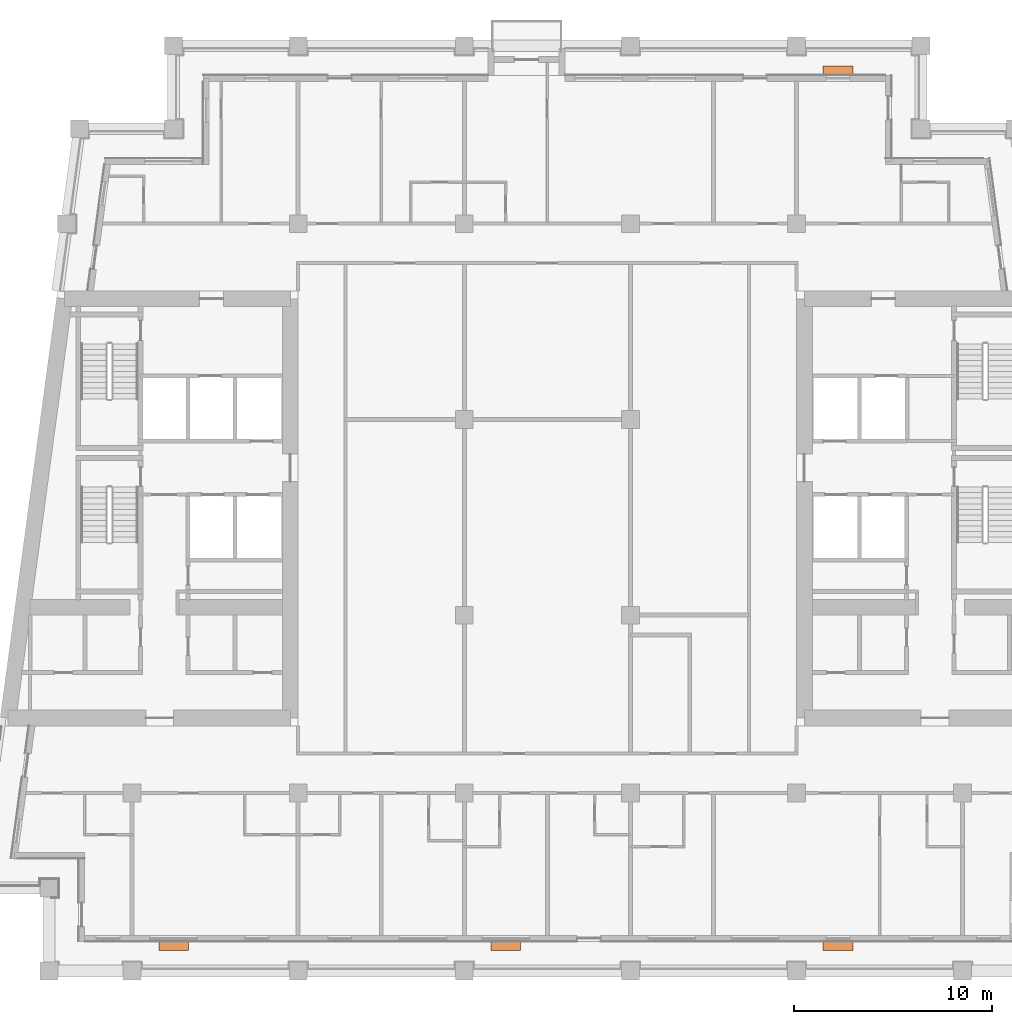
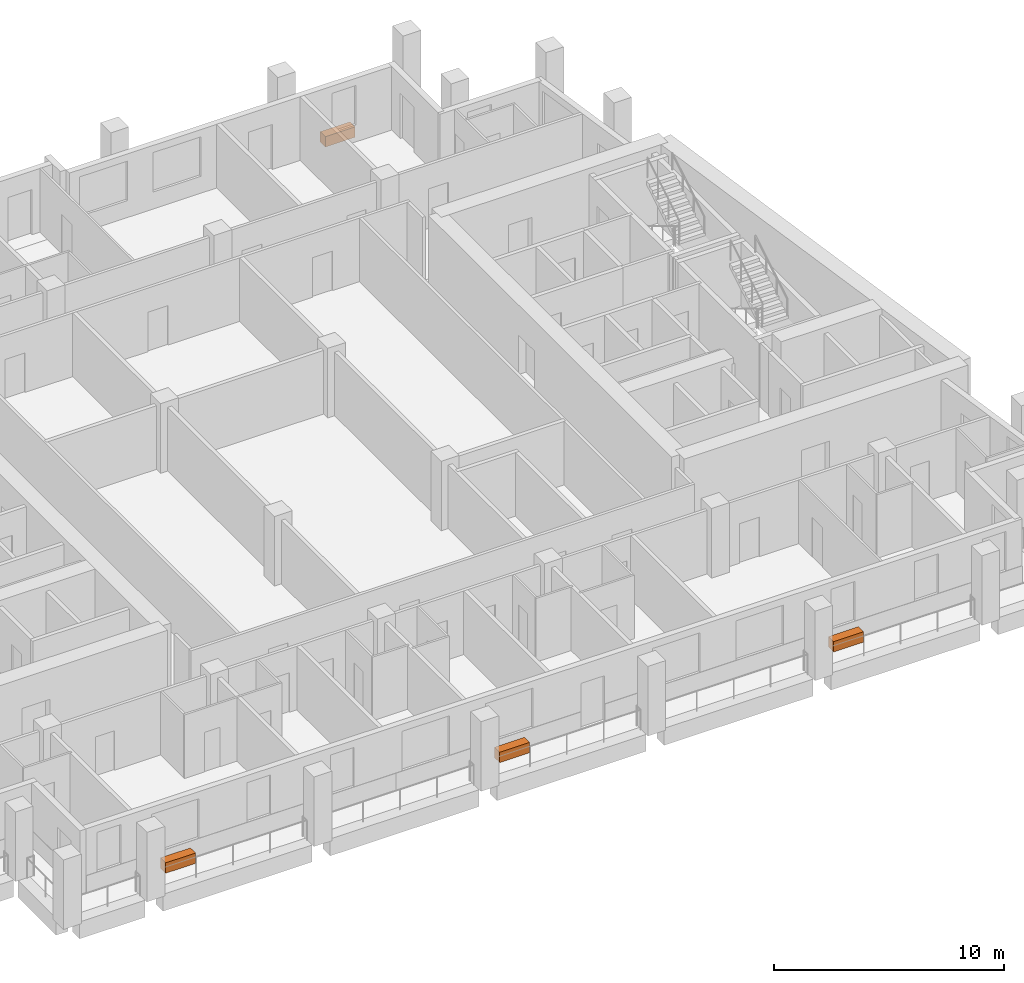
# One storey, part 13 of 13: 4 proxies.
"""IFC4 building model written with IfcOpenShell, lengths in metres."""

from ifc_helpers import new_model, si_unit, direction, frame, origin, origin_2d, place, context, subcontext, project, spatial, rectangle, extrude, element, save


model = new_model("IFC4")

# Units and contexts
model_context = context("Model", 3, precision=1e-05, world=origin(), true_north=direction((0.0, 1.0)))
body_context = subcontext(model_context, "Body", "Model", "MODEL_VIEW")
ifc_project = project(units=[si_unit("LENGTHUNIT", "METRE"), si_unit("AREAUNIT", "SQUARE_METRE"), si_unit("VOLUMEUNIT", "CUBIC_METRE"), si_unit("PLANEANGLEUNIT", "RADIAN"), si_unit("MASSUNIT", "GRAM", prefix="KILO")], contexts=[model_context])

# Site, building, storey
site_placement = place(None, origin())
site = spatial("IfcSite", under=ifc_project, at=site_placement, CompositionType="ELEMENT")
building_placement = place(site_placement, origin())
building = spatial("IfcBuilding", under=site, at=building_placement, Name="Candeia Pilgrim Tower and Theatre", CompositionType="ELEMENT")
storey_placement = place(building_placement, frame((0.0, 0.0, 239.199951171875)))
storey = spatial("IfcBuildingStorey", under=building, at=storey_placement, Name="L58", CompositionType="ELEMENT", Elevation=239.199951171875)

# Proxies
for number, where, z_axis, x_axis, name in (
    (1, (94.5, 99.2548828125, 0.0), (0.0, 0.0, 1.0), (1.0, 0.0, 0.0), "Planter"),
    (2, (111.300048828125, 99.2548828125, 0.0), (0.0, 0.0, 1.0), (1.0, 0.0, 0.0), "Planter"),
    (3, (128.10009765625, 99.2548828125, 0.0), (0.0, 0.0, 1.0), (1.0, 0.0, 0.0), "Planter"),
    (4, (128.10009765625, 143.544921875, 0.0), (0.0, 0.0, 1.0), (-1.0, 0.0, 0.0), "Planter"),
):
    element("IfcBuildingElementProxy", number, at=place(storey_placement, frame(where, z_axis=z_axis, x_axis=x_axis)), inside=storey, Name=name, ObjectType="PLANTER", PredefinedType="USERDEFINED", context=body_context, shape_type="SweptSolid", body=[
        extrude(rectangle(XDim=1.5, YDim=0.449951171875, at=origin_2d()), origin(), (0.0, 0.0, 1.0), 0.550048828125),
    ])

save(model, "model.ifc")
